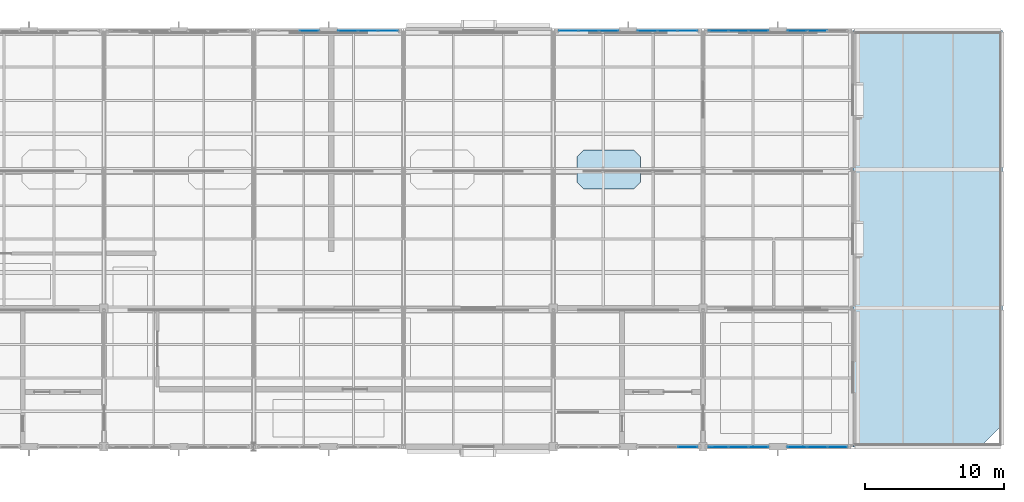
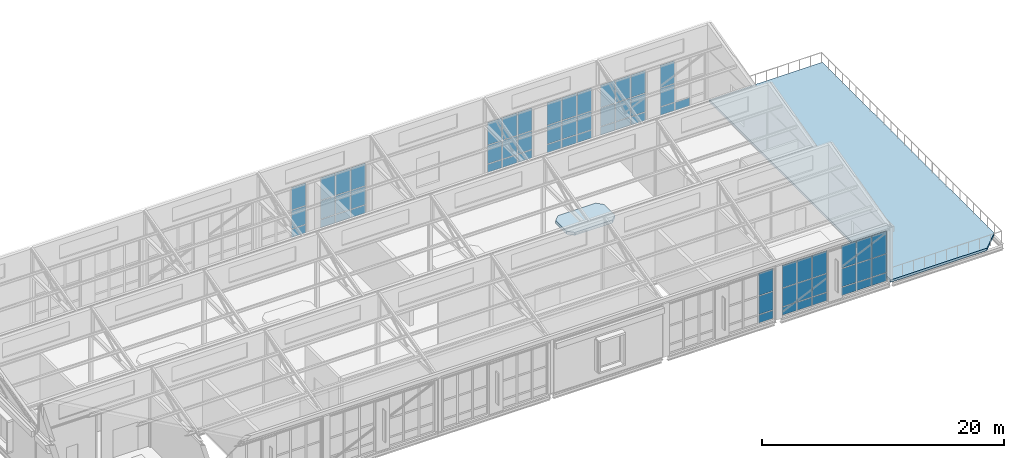
# One storey, part 33 of 49: 64 plates, 2 slabs, 9 elements without a shape of their own.
"""IFC4 building model written with IfcOpenShell, lengths in metres."""

import ifcopenshell
import ifcopenshell.guid

model = None  # the IFC model being written
_history = None  # IfcOwnerHistory: only IFC2X3 demands one
_inside = {}  # id of a spatial element -> (the spatial element, [elements in it])
_under = {}  # id of a project, library or spatial element -> (it, [spatial elements below it])
_declared = {}  # id of a project -> (the project, [libraries it declares])
_typed = {}  # id of a type object -> (the type object, [elements of that type])
_made_of = {}  # id of a material, layer set ... -> (it, [elements and type objects made of it])


def new_model(schema):
    """Start an empty IFC model of exactly this schema.

    Asked for "IFC4X3", IfcOpenShell would pick the latest addendum, in which some entities
    have other attributes; the version numbers below select the first issue.
    IFC2X3 requires an IfcOwnerHistory on every rooted entity: one is made here for all.
    """
    global model, _history
    if schema == "IFC4X3":
        model = ifcopenshell.file(schema_version=(4, 3, 0, 0))
    else:
        model = ifcopenshell.file(schema=schema)
    _inside.clear()
    _under.clear()
    _declared.clear()
    _typed.clear()
    _made_of.clear()
    _history = None
    if model.schema == "IFC2X3":
        org = make("IfcOrganization", Name="unknown")
        user = make(
            "IfcPersonAndOrganization",
            ThePerson=make("IfcPerson", FamilyName="unknown"),
            TheOrganization=org,
        )
        app = make(
            "IfcApplication",
            ApplicationDeveloper=org,
            Version="unknown",
            ApplicationFullName="unknown",
            ApplicationIdentifier="unknown",
        )
        _history = make(
            "IfcOwnerHistory",
            OwningUser=user,
            OwningApplication=app,
            ChangeAction="ADDED",
            CreationDate=0,
        )
    return model


def make(cls, **values):
    """One entity of the class cls with the attributes given. An attribute that is None is left unset."""
    return model.create_entity(
        cls, **{name: value for name, value in values.items() if value is not None}
    )


def rooted(cls, **values):
    """An entity with a GlobalId (a new one), such as an element, a storey or a relation."""
    return make(cls, GlobalId=ifcopenshell.guid.new(), OwnerHistory=_history, **values)


def si_unit(unit_type, name, prefix=None):
    """IfcSIUnit, for example si_unit("LENGTHUNIT", "METRE", prefix="MILLI")."""
    return make("IfcSIUnit", UnitType=unit_type, Prefix=prefix, Name=name)


def assignment(units):
    """IfcUnitAssignment: the units of a project."""
    return None if units is None else make("IfcUnitAssignment", Units=units)


def point(xyz):
    """IfcCartesianPoint."""
    return None if xyz is None else make("IfcCartesianPoint", Coordinates=xyz)


def direction(xyz):
    """IfcDirection."""
    return None if xyz is None else make("IfcDirection", DirectionRatios=xyz)


def frame(location, z_axis=None, x_axis=None):
    """IfcAxis2Placement3D, a coordinate frame: its origin and axes. An axis left out is left unset."""
    return make(
        "IfcAxis2Placement3D",
        Location=point(location),
        Axis=direction(z_axis),
        RefDirection=direction(x_axis),
    )


def frame_2d(location, x_axis=None):
    """IfcAxis2Placement2D, a coordinate frame in the plane: its origin and x axis."""
    return make(
        "IfcAxis2Placement2D", Location=point(location), RefDirection=direction(x_axis)
    )


def origin():
    """The frame at (0, 0, 0) with its axes left unset."""
    return frame((0.0, 0.0, 0.0))


def origin_2d():
    """The frame at (0, 0) in the plane with its x axis left unset."""
    return frame_2d((0.0, 0.0))


def place(relative_to, where):
    """IfcLocalPlacement: puts the frame where relative to a parent placement (None: the world)."""
    return make(
        "IfcLocalPlacement", PlacementRelTo=relative_to, RelativePlacement=where
    )


def context(
    kind, dimensions, precision=None, world=None, true_north=None, identifier=None
):
    """IfcGeometricRepresentationContext, for example the 3D "Model" context."""
    return make(
        "IfcGeometricRepresentationContext",
        ContextIdentifier=identifier,
        ContextType=kind,
        CoordinateSpaceDimension=dimensions,
        Precision=precision,
        WorldCoordinateSystem=world,
        TrueNorth=true_north,
    )


def subcontext(parent, identifier, kind, view, scale=None):
    """IfcGeometricRepresentationSubContext, for example "Body" below "Model"."""
    return make(
        "IfcGeometricRepresentationSubContext",
        ContextIdentifier=identifier,
        ContextType=kind,
        ParentContext=parent,
        TargetScale=scale,
        TargetView=view,
    )


def project(units=None, contexts=None):
    """IfcProject with its units and contexts."""
    return rooted(
        "IfcProject",
        Name="project",
        RepresentationContexts=contexts,
        UnitsInContext=assignment(units),
    )


def spatial(cls, under=None, at=None, **own):
    """A site, building, storey or space (cls), placed at a placement, below another one or the project."""
    s = rooted(cls, ObjectPlacement=at, **own)
    if under is not None:
        _under.setdefault(under.id(), (under, []))[1].append(s)
    return s


def polyline(points):
    """IfcPolyline through the points."""
    return make("IfcPolyline", Points=[point(p) for p in points])


def profile(cls, at=None, kind="AREA", **sizes):
    """A parametric profile (cls). Its sizes go by their IFC names, for example OverallWidth=200.0."""
    return make(cls, ProfileType=kind, Position=at, **sizes)


def rectangle(**sizes):
    """IfcRectangleProfileDef."""
    return profile("IfcRectangleProfileDef", **sizes)


def outline(outer, holes=None, kind="AREA"):
    """IfcArbitraryClosedProfileDef: a profile drawn as a closed curve; with holes, ...WithVoids."""
    if holes is None:
        return make("IfcArbitraryClosedProfileDef", ProfileType=kind, OuterCurve=outer)
    return make(
        "IfcArbitraryProfileDefWithVoids",
        ProfileType=kind,
        OuterCurve=outer,
        InnerCurves=holes,
    )


def extrude(swept, where, along, depth):
    """IfcExtrudedAreaSolid: the profile swept, set in the frame where, extruded along a direction by depth."""
    return make(
        "IfcExtrudedAreaSolid",
        SweptArea=swept,
        Position=where,
        ExtrudedDirection=direction(along),
        Depth=depth,
    )


def shape(context_of_items, identifier, shape_type, items):
    """IfcShapeRepresentation: the items that make up one representation, for example the "Body"."""
    return make(
        "IfcShapeRepresentation",
        ContextOfItems=context_of_items,
        RepresentationIdentifier=identifier,
        RepresentationType=shape_type,
        Items=items,
    )


def material(Name=None, Category=None):
    """IfcMaterial."""
    return make("IfcMaterial", Name=Name, Category=Category)


def layer(
    of_material, thickness, ventilated=None, Name=None, Category=None, Priority=None
):
    """IfcMaterialLayer: one layer of a wall or slab, of a material (None: an air gap)."""
    return make(
        "IfcMaterialLayer",
        Material=of_material,
        LayerThickness=thickness,
        IsVentilated=ventilated,
        Name=Name,
        Category=Category,
        Priority=Priority,
    )


def layer_set(layers, Name=None):
    """IfcMaterialLayerSet."""
    return make("IfcMaterialLayerSet", MaterialLayers=layers, LayerSetName=Name)


def made_of(thing, what):
    """Note that an element or type object is made of a material, layer set ...; save() writes the relation."""
    if what is not None:
        _made_of.setdefault(what.id(), (what, []))[1].append(thing)
    return thing


def type_object(cls, material=None, **own):
    """A type object (cls), such as IfcWallType, which elements share."""
    return made_of(rooted(cls, **own), material)


def element(
    cls,
    number,
    at=None,
    inside=None,
    cuts=None,
    type_object=None,
    material=None,
    context=None,
    identifier="Body",
    shape_type=None,
    held_by="IfcProductDefinitionShape",
    body=None,
    shapes=None,
    **own,
):
    """One element of the class cls, such as IfcWall. Its Tag is "e" and its number.

    at: its placement. inside: the storey or other place that contains it. cuts: it is an
    opening in that element (IfcRelVoidsElement). A single representation is given by context,
    identifier, shape_type and body (its items); several are given by shapes. held_by: the class
    of the entity that holds the representations. save() writes the other relations.
    """
    e = rooted(cls, Tag="e%d" % number, ObjectPlacement=at, **own)
    if body is not None:
        shapes = [shape(context, identifier, shape_type, body)]
    if shapes is not None:
        e.Representation = make(held_by, Representations=shapes)
    if inside is not None:
        _inside.setdefault(inside.id(), (inside, []))[1].append(e)
    if cuts is not None:
        rooted(
            "IfcRelVoidsElement", RelatingBuildingElement=cuts, RelatedOpeningElement=e
        )
    if type_object is not None:
        _typed.setdefault(type_object.id(), (type_object, []))[1].append(e)
    return made_of(e, material)


def aggregate(whole, parts):
    """IfcRelAggregates: a whole, such as a stair, and the parts it consists of."""
    return rooted("IfcRelAggregates", RelatingObject=whole, RelatedObjects=parts)


def save(model, path):
    """Write the relations noted so far, then the file.

    IfcRelAggregates (storeys below a building ...), IfcRelContainedInSpatialStructure (elements
    in a storey), IfcRelDefinesByType, IfcRelAssociatesMaterial and IfcRelDeclares: one each for
    every whole, place, type object, material and project.
    """
    for whole, parts in _under.values():
        aggregate(whole, parts)
    for where, things in _inside.values():
        rooted(
            "IfcRelContainedInSpatialStructure",
            RelatedElements=things,
            RelatingStructure=where,
        )
    for kind, things in _typed.values():
        rooted("IfcRelDefinesByType", RelatedObjects=things, RelatingType=kind)
    for what, things in _made_of.values():
        rooted("IfcRelAssociatesMaterial", RelatedObjects=things, RelatingMaterial=what)
    for by, libraries in _declared.values():
        rooted("IfcRelDeclares", RelatingContext=by, RelatedDefinitions=libraries)
    model.write(path)


model = new_model("IFC4")

# Units and contexts
model_context = context("Model", 3, precision=1e-05, world=origin(), true_north=direction((0.0, 1.0)))
body_context = subcontext(model_context, "Body", "Model", "MODEL_VIEW")
ifc_project = project(units=[si_unit("LENGTHUNIT", "METRE"), si_unit("AREAUNIT", "SQUARE_METRE"), si_unit("VOLUMEUNIT", "CUBIC_METRE"), si_unit("PLANEANGLEUNIT", "RADIAN"), si_unit("MASSUNIT", "GRAM", prefix="KILO")], contexts=[model_context])

# Site, building, storey
site_placement = place(None, origin())
site = spatial("IfcSite", under=ifc_project, at=site_placement, CompositionType="ELEMENT")
building_placement = place(site_placement, origin())
building = spatial("IfcBuilding", under=site, at=building_placement, Name="Tasgan Crest Museum", CompositionType="ELEMENT")
storey_placement = place(building_placement, frame((0.0, 0.0, 28.800048828125)))
storey = spatial("IfcBuildingStorey", under=building, at=storey_placement, Name="L05", CompositionType="ELEMENT", Elevation=28.800048828125)

# Curtain wall, plates
ifc_material_1 = material(Name="Triple-Glazed Aluminium Curtain Wall", Category="aluminium")
ifc_layer_1 = layer(ifc_material_1, 0.179931640625, Name="CW-GAL-X-54")
ifc_layer_set_1 = layer_set([ifc_layer_1], Name="Triple-Glazed Aluminium Curtain Wall")
curtain_wall_type_1 = type_object("IfcCurtainWallType", Name="CW-GAL-X-54", PredefinedType="NOTDEFINED", material=ifc_layer_set_1)
curtain_wall_1_placement = place(storey_placement, origin())
curtain_wall_1 = element("IfcCurtainWall", 1, at=curtain_wall_1_placement, inside=storey, type_object=curtain_wall_type_1, Name="Curtain wall L05 201", PredefinedType="NOTDEFINED")
ifc_material_2 = material(Name="Insulated Spandrel Glass", Category="glass")
ifc_layer_2 = layer(ifc_material_2, 0.052001953125, Name="CW-PANEL-SPANDREL")
ifc_layer_set_2 = layer_set([ifc_layer_2], Name="Insulated Spandrel Glass")
plate_type_1 = type_object("IfcPlateType", Name="CW-PANEL-SPANDREL", PredefinedType="CURTAIN_PANEL", material=ifc_layer_set_2)
plate_1_placement = place(storey_placement, frame((73.0400390625, 112.0, 0.059814453125), z_axis=(0.0, 0.0, 1.0), x_axis=(-1.0, 0.0, 0.0)))
plate_1 = element("IfcPlate", 2, at=plate_1_placement, type_object=plate_type_1, Name="CW15 panel 2.1", PredefinedType="CURTAIN_PANEL", context=body_context, shape_type="SweptSolid", body=[
    extrude(rectangle(XDim=1.4033203125, YDim=0.028076171875, at=origin_2d()), origin(), (0.0, 0.0, 1.0), 0.81005859375),
])
plate_2_placement = place(storey_placement, frame((71.591552734375, 112.0, 0.059814453125), z_axis=(0.0, 0.0, 1.0), x_axis=(-1.0, 0.0, 0.0)))
plate_2 = element("IfcPlate", 3, at=plate_2_placement, type_object=plate_type_1, Name="CW15 panel 3.1", PredefinedType="CURTAIN_PANEL", context=body_context, shape_type="SweptSolid", body=[
    extrude(rectangle(XDim=1.373291015625, YDim=0.028076171875, at=origin_2d()), origin(), (0.0, 0.0, 1.0), 0.81005859375),
])

curtain_wall_2_placement = place(storey_placement, origin())
curtain_wall_2 = element("IfcCurtainWall", 4, at=curtain_wall_2_placement, inside=storey, type_object=curtain_wall_type_1, Name="Curtain wall L05 202", PredefinedType="NOTDEFINED")
plate_3_placement = place(storey_placement, frame((68.808349609375, 112.0, 0.059814453125), z_axis=(0.0, 0.0, 1.0), x_axis=(-1.0, 0.0, 0.0)))
plate_3 = element("IfcPlate", 5, at=plate_3_placement, type_object=plate_type_1, Name="CW15 panel 1.1", PredefinedType="CURTAIN_PANEL", context=body_context, shape_type="SweptSolid", body=[
    extrude(rectangle(XDim=1.373291015625, YDim=0.028076171875, at=origin_2d()), origin(), (0.0, 0.0, 1.0), 0.81005859375),
])
plate_4_placement = place(storey_placement, frame((67.360107421875, 112.0, 0.059814453125), z_axis=(0.0, 0.0, 1.0), x_axis=(-1.0, 0.0, 0.0)))
plate_4 = element("IfcPlate", 6, at=plate_4_placement, type_object=plate_type_1, Name="CW15 panel 2.1", PredefinedType="CURTAIN_PANEL", context=body_context, shape_type="SweptSolid", body=[
    extrude(rectangle(XDim=1.4033203125, YDim=0.028076171875, at=origin_2d()), origin(), (0.0, 0.0, 1.0), 0.81005859375),
])
plate_5_placement = place(storey_placement, frame((65.91162109375, 112.0, 0.059814453125), z_axis=(0.0, 0.0, 1.0), x_axis=(-1.0, 0.0, 0.0)))
plate_5 = element("IfcPlate", 7, at=plate_5_placement, type_object=plate_type_1, Name="CW15 panel 3.1", PredefinedType="CURTAIN_PANEL", context=body_context, shape_type="SweptSolid", body=[
    extrude(rectangle(XDim=1.373291015625, YDim=0.028076171875, at=origin_2d()), origin(), (0.0, 0.0, 1.0), 0.81005859375),
])

ifc_material_3 = material(Name="Triple-Glazed Aluminium Curtain Wall", Category="aluminium")
ifc_layer_3 = layer(ifc_material_3, 0.179931640625, Name="CW-CORE-STRIP-54")
ifc_layer_set_3 = layer_set([ifc_layer_3], Name="Triple-Glazed Aluminium Curtain Wall")
curtain_wall_type_2 = type_object("IfcCurtainWallType", Name="CW-CORE-STRIP-54", PredefinedType="NOTDEFINED", material=ifc_layer_set_3)
curtain_wall_3_placement = place(storey_placement, origin())
curtain_wall_3 = element("IfcCurtainWall", 8, at=curtain_wall_3_placement, inside=storey, type_object=curtain_wall_type_2, Name="Curtain wall L05 203", PredefinedType="NOTDEFINED")
plate_6_placement = place(storey_placement, frame((63.688232421875, 112.0, 0.059814453125), z_axis=(0.0, 0.0, 1.0), x_axis=(-1.0, 0.0, 0.0)))
plate_6 = element("IfcPlate", 9, at=plate_6_placement, type_object=plate_type_1, Name="CW21 panel 1.1", PredefinedType="CURTAIN_PANEL", context=body_context, shape_type="SweptSolid", body=[
    extrude(rectangle(XDim=1.373291015625, YDim=0.028076171875, at=origin_2d()), origin(), (0.0, 0.0, 1.0), 0.81005859375),
])
plate_7_placement = place(storey_placement, frame((62.239990234375, 112.0, 0.059814453125), z_axis=(0.0, 0.0, 1.0), x_axis=(-1.0, 0.0, 0.0)))
plate_7 = element("IfcPlate", 10, at=plate_7_placement, type_object=plate_type_1, Name="CW21 panel 2.1", PredefinedType="CURTAIN_PANEL", context=body_context, shape_type="SweptSolid", body=[
    extrude(rectangle(XDim=1.4033203125, YDim=0.028076171875, at=origin_2d()), origin(), (0.0, 0.0, 1.0), 0.81005859375),
])
plate_8_placement = place(storey_placement, frame((60.791748046875, 112.0, 0.059814453125), z_axis=(0.0, 0.0, 1.0), x_axis=(-1.0, 0.0, 0.0)))
plate_8 = element("IfcPlate", 11, at=plate_8_placement, type_object=plate_type_1, Name="CW21 panel 3.1", PredefinedType="CURTAIN_PANEL", context=body_context, shape_type="SweptSolid", body=[
    extrude(rectangle(XDim=1.373291015625, YDim=0.028076171875, at=origin_2d()), origin(), (0.0, 0.0, 1.0), 0.81005859375),
])

curtain_wall_4_placement = place(storey_placement, origin())
curtain_wall_4 = element("IfcCurtainWall", 12, at=curtain_wall_4_placement, inside=storey, type_object=curtain_wall_type_2, Name="Curtain wall L05 204", PredefinedType="NOTDEFINED")
plate_9_placement = place(storey_placement, frame((58.00830078125, 112.0, 0.059814453125), z_axis=(0.0, 0.0, 1.0), x_axis=(-1.0, 0.0, 0.0)))
plate_9 = element("IfcPlate", 13, at=plate_9_placement, type_object=plate_type_1, Name="CW21 panel 1.1", PredefinedType="CURTAIN_PANEL", context=body_context, shape_type="SweptSolid", body=[
    extrude(rectangle(XDim=1.373291015625, YDim=0.028076171875, at=origin_2d()), origin(), (0.0, 0.0, 1.0), 0.81005859375),
])
plate_10_placement = place(storey_placement, frame((56.56005859375, 112.0, 0.059814453125), z_axis=(0.0, 0.0, 1.0), x_axis=(-1.0, 0.0, 0.0)))
plate_10 = element("IfcPlate", 14, at=plate_10_placement, type_object=plate_type_1, Name="CW21 panel 2.1", PredefinedType="CURTAIN_PANEL", context=body_context, shape_type="SweptSolid", body=[
    extrude(rectangle(XDim=1.4033203125, YDim=0.028076171875, at=origin_2d()), origin(), (0.0, 0.0, 1.0), 0.81005859375),
])
plate_11_placement = place(storey_placement, frame((55.111572265625, 112.0, 0.059814453125), z_axis=(0.0, 0.0, 1.0), x_axis=(-1.0, 0.0, 0.0)))
plate_11 = element("IfcPlate", 15, at=plate_11_placement, type_object=plate_type_1, Name="CW21 panel 3.1", PredefinedType="CURTAIN_PANEL", context=body_context, shape_type="SweptSolid", body=[
    extrude(rectangle(XDim=1.373291015625, YDim=0.028076171875, at=origin_2d()), origin(), (0.0, 0.0, 1.0), 0.81005859375),
])

curtain_wall_5_placement = place(storey_placement, origin())
curtain_wall_5 = element("IfcCurtainWall", 16, at=curtain_wall_5_placement, inside=storey, type_object=curtain_wall_type_1, Name="Curtain wall L05 205", PredefinedType="NOTDEFINED")
plate_12_placement = place(storey_placement, frame((42.08837890625, 112.0, 0.059814453125), z_axis=(0.0, 0.0, 1.0), x_axis=(-1.0, 0.0, 0.0)))
plate_12 = element("IfcPlate", 17, at=plate_12_placement, type_object=plate_type_1, Name="CW15 panel 1.1", PredefinedType="CURTAIN_PANEL", context=body_context, shape_type="SweptSolid", body=[
    extrude(rectangle(XDim=1.373291015625, YDim=0.028076171875, at=origin_2d()), origin(), (0.0, 0.0, 1.0), 0.81005859375),
])
plate_13_placement = place(storey_placement, frame((40.639892578125, 112.0, 0.059814453125), z_axis=(0.0, 0.0, 1.0), x_axis=(-1.0, 0.0, 0.0)))
plate_13 = element("IfcPlate", 18, at=plate_13_placement, type_object=plate_type_1, Name="CW15 panel 2.1", PredefinedType="CURTAIN_PANEL", context=body_context, shape_type="SweptSolid", body=[
    extrude(rectangle(XDim=1.4033203125, YDim=0.028076171875, at=origin_2d()), origin(), (0.0, 0.0, 1.0), 0.81005859375),
])
plate_14_placement = place(storey_placement, frame((39.191650390625, 112.0, 0.059814453125), z_axis=(0.0, 0.0, 1.0), x_axis=(-1.0, 0.0, 0.0)))
plate_14 = element("IfcPlate", 19, at=plate_14_placement, type_object=plate_type_1, Name="CW15 panel 3.1", PredefinedType="CURTAIN_PANEL", context=body_context, shape_type="SweptSolid", body=[
    extrude(rectangle(XDim=1.373291015625, YDim=0.028076171875, at=origin_2d()), origin(), (0.0, 0.0, 1.0), 0.81005859375),
])

# Curtain wall, plate
curtain_wall_6_placement = place(storey_placement, origin())
curtain_wall_6 = element("IfcCurtainWall", 20, at=curtain_wall_6_placement, inside=storey, type_object=curtain_wall_type_1, Name="Curtain wall L05 206", PredefinedType="NOTDEFINED")
plate_15_placement = place(storey_placement, frame((36.408447265625, 112.0, 0.059814453125), z_axis=(0.0, 0.0, 1.0), x_axis=(-1.0, 0.0, 0.0)))
plate_15 = element("IfcPlate", 21, at=plate_15_placement, type_object=plate_type_1, Name="CW15 panel 1.1", PredefinedType="CURTAIN_PANEL", context=body_context, shape_type="SweptSolid", body=[
    extrude(rectangle(XDim=1.373291015625, YDim=0.028076171875, at=origin_2d()), origin(), (0.0, 0.0, 1.0), 0.81005859375),
])

ifc_material_4 = material(Name="Triple-Glazed Aluminium Curtain Wall", Category="aluminium")
ifc_layer_4 = layer(ifc_material_4, 0.179931640625, Name="CW-DRUM-X-48")
ifc_layer_set_4 = layer_set([ifc_layer_4], Name="Triple-Glazed Aluminium Curtain Wall")
curtain_wall_type_3 = type_object("IfcCurtainWallType", Name="CW-DRUM-X-48", PredefinedType="NOTDEFINED", material=ifc_layer_set_4)
curtain_wall_7_placement = place(storey_placement, origin())
curtain_wall_7 = element("IfcCurtainWall", 22, at=curtain_wall_7_placement, inside=storey, type_object=curtain_wall_type_3, Name="Curtain wall L05 218", PredefinedType="NOTDEFINED")
plate_16_placement = place(storey_placement, frame((63.688232421875, 82.0, 0.059814453125), z_axis=(0.0, 0.0, 1.0), x_axis=(1.0, 0.0, 0.0)))
plate_16 = element("IfcPlate", 23, at=plate_16_placement, type_object=plate_type_1, Name="CW03 panel 3.1", PredefinedType="CURTAIN_PANEL", context=body_context, shape_type="SweptSolid", body=[
    extrude(rectangle(XDim=1.373291015625, YDim=0.028076171875, at=origin_2d()), origin(), (0.0, 0.0, 1.0), 0.81005859375),
])

# Curtain wall, plates
curtain_wall_8_placement = place(storey_placement, origin())
curtain_wall_8 = element("IfcCurtainWall", 24, at=curtain_wall_8_placement, inside=storey, type_object=curtain_wall_type_3, Name="Curtain wall L05 219", PredefinedType="NOTDEFINED")
plate_17_placement = place(storey_placement, frame((65.91162109375, 82.0, 0.059814453125), z_axis=(0.0, 0.0, 1.0), x_axis=(1.0, 0.0, 0.0)))
plate_17 = element("IfcPlate", 25, at=plate_17_placement, type_object=plate_type_1, Name="CW03 panel 1.1", PredefinedType="CURTAIN_PANEL", context=body_context, shape_type="SweptSolid", body=[
    extrude(rectangle(XDim=1.373291015625, YDim=0.028076171875, at=origin_2d()), origin(), (0.0, 0.0, 1.0), 0.81005859375),
])
plate_18_placement = place(storey_placement, frame((67.360107421875, 82.0, 0.059814453125), z_axis=(0.0, 0.0, 1.0), x_axis=(1.0, 0.0, 0.0)))
plate_18 = element("IfcPlate", 26, at=plate_18_placement, type_object=plate_type_1, Name="CW03 panel 2.1", PredefinedType="CURTAIN_PANEL", context=body_context, shape_type="SweptSolid", body=[
    extrude(rectangle(XDim=1.4033203125, YDim=0.028076171875, at=origin_2d()), origin(), (0.0, 0.0, 1.0), 0.81005859375),
])
plate_19_placement = place(storey_placement, frame((68.808349609375, 82.0, 0.059814453125), z_axis=(0.0, 0.0, 1.0), x_axis=(1.0, 0.0, 0.0)))
plate_19 = element("IfcPlate", 27, at=plate_19_placement, type_object=plate_type_1, Name="CW03 panel 3.1", PredefinedType="CURTAIN_PANEL", context=body_context, shape_type="SweptSolid", body=[
    extrude(rectangle(XDim=1.373291015625, YDim=0.028076171875, at=origin_2d()), origin(), (0.0, 0.0, 1.0), 0.81005859375),
])

curtain_wall_9_placement = place(storey_placement, origin())
curtain_wall_9 = element("IfcCurtainWall", 28, at=curtain_wall_9_placement, inside=storey, type_object=curtain_wall_type_3, Name="Curtain wall L05 220", PredefinedType="NOTDEFINED")
plate_20_placement = place(storey_placement, frame((71.591552734375, 82.0, 0.059814453125), z_axis=(0.0, 0.0, 1.0), x_axis=(1.0, 0.0, 0.0)))
plate_20 = element("IfcPlate", 29, at=plate_20_placement, type_object=plate_type_1, Name="CW03 panel 1.1", PredefinedType="CURTAIN_PANEL", context=body_context, shape_type="SweptSolid", body=[
    extrude(rectangle(XDim=1.373291015625, YDim=0.028076171875, at=origin_2d()), origin(), (0.0, 0.0, 1.0), 0.81005859375),
])
plate_21_placement = place(storey_placement, frame((73.0400390625, 82.0, 0.059814453125), z_axis=(0.0, 0.0, 1.0), x_axis=(1.0, 0.0, 0.0)))
plate_21 = element("IfcPlate", 30, at=plate_21_placement, type_object=plate_type_1, Name="CW03 panel 2.1", PredefinedType="CURTAIN_PANEL", context=body_context, shape_type="SweptSolid", body=[
    extrude(rectangle(XDim=1.4033203125, YDim=0.028076171875, at=origin_2d()), origin(), (0.0, 0.0, 1.0), 0.81005859375),
])
plate_22_placement = place(storey_placement, frame((74.48828125, 82.0, 0.059814453125), z_axis=(0.0, 0.0, 1.0), x_axis=(1.0, 0.0, 0.0)))
plate_22 = element("IfcPlate", 31, at=plate_22_placement, type_object=plate_type_1, Name="CW03 panel 3.1", PredefinedType="CURTAIN_PANEL", context=body_context, shape_type="SweptSolid", body=[
    extrude(rectangle(XDim=1.373291015625, YDim=0.028076171875, at=origin_2d()), origin(), (0.0, 0.0, 1.0), 0.81005859375),
])

# Plate
ifc_material_5 = material(Name="Low-E Triple Glazing", Category="glass")
ifc_layer_5 = layer(ifc_material_5, 0.0439453125, Name="CW-PANEL-TRIPLE")
ifc_layer_set_5 = layer_set([ifc_layer_5], Name="Low-E Triple Glazing")
plate_type_2 = type_object("IfcPlateType", Name="CW-PANEL-TRIPLE", PredefinedType="CURTAIN_PANEL", material=ifc_layer_set_5)
plate_23_placement = place(storey_placement, frame((71.591552734375, 112.0, 0.9296875), z_axis=(0.0, 0.0, 1.0), x_axis=(-1.0, 0.0, 0.0)))
plate_23 = element("IfcPlate", 32, at=plate_23_placement, type_object=plate_type_2, Name="CW15 panel 3.2", PredefinedType="CURTAIN_PANEL", context=body_context, shape_type="SweptSolid", body=[
    extrude(rectangle(XDim=1.373291015625, YDim=0.028076171875, at=origin_2d()), origin(), (0.0, 0.0, 1.0), 1.840087890625),
])

plate_24_placement = place(storey_placement, frame((71.591552734375, 112.0, 2.829833984375), z_axis=(0.0, 0.0, 1.0), x_axis=(-1.0, 0.0, 0.0)))
plate_24 = element("IfcPlate", 33, at=plate_24_placement, type_object=plate_type_2, Name="CW15 panel 3.3", PredefinedType="CURTAIN_PANEL", context=body_context, shape_type="SweptSolid", body=[
    extrude(rectangle(XDim=1.373291015625, YDim=0.028076171875, at=origin_2d()), origin(), (0.0, 0.0, 1.0), 2.27001953125),
])

aggregate(curtain_wall_1, [plate_1, plate_2, plate_23, plate_24])

plate_25_placement = place(storey_placement, frame((68.808349609375, 112.0, 0.9296875), z_axis=(0.0, 0.0, 1.0), x_axis=(-1.0, 0.0, 0.0)))
plate_25 = element("IfcPlate", 34, at=plate_25_placement, type_object=plate_type_2, Name="CW15 panel 1.2", PredefinedType="CURTAIN_PANEL", context=body_context, shape_type="SweptSolid", body=[
    extrude(rectangle(XDim=1.373291015625, YDim=0.028076171875, at=origin_2d()), origin(), (0.0, 0.0, 1.0), 1.840087890625),
])

plate_26_placement = place(storey_placement, frame((68.808349609375, 112.0, 2.829833984375), z_axis=(0.0, 0.0, 1.0), x_axis=(-1.0, 0.0, 0.0)))
plate_26 = element("IfcPlate", 35, at=plate_26_placement, type_object=plate_type_2, Name="CW15 panel 1.3", PredefinedType="CURTAIN_PANEL", context=body_context, shape_type="SweptSolid", body=[
    extrude(rectangle(XDim=1.373291015625, YDim=0.028076171875, at=origin_2d()), origin(), (0.0, 0.0, 1.0), 2.27001953125),
])

plate_27_placement = place(storey_placement, frame((67.360107421875, 112.0, 0.9296875), z_axis=(0.0, 0.0, 1.0), x_axis=(-1.0, 0.0, 0.0)))
plate_27 = element("IfcPlate", 36, at=plate_27_placement, type_object=plate_type_2, Name="CW15 panel 2.2", PredefinedType="CURTAIN_PANEL", context=body_context, shape_type="SweptSolid", body=[
    extrude(rectangle(XDim=1.4033203125, YDim=0.028076171875, at=origin_2d()), origin(), (0.0, 0.0, 1.0), 1.840087890625),
])

plate_28_placement = place(storey_placement, frame((67.360107421875, 112.0, 2.829833984375), z_axis=(0.0, 0.0, 1.0), x_axis=(-1.0, 0.0, 0.0)))
plate_28 = element("IfcPlate", 37, at=plate_28_placement, type_object=plate_type_2, Name="CW15 panel 2.3", PredefinedType="CURTAIN_PANEL", context=body_context, shape_type="SweptSolid", body=[
    extrude(rectangle(XDim=1.4033203125, YDim=0.028076171875, at=origin_2d()), origin(), (0.0, 0.0, 1.0), 2.27001953125),
])

plate_29_placement = place(storey_placement, frame((65.91162109375, 112.0, 0.9296875), z_axis=(0.0, 0.0, 1.0), x_axis=(-1.0, 0.0, 0.0)))
plate_29 = element("IfcPlate", 38, at=plate_29_placement, type_object=plate_type_2, Name="CW15 panel 3.2", PredefinedType="CURTAIN_PANEL", context=body_context, shape_type="SweptSolid", body=[
    extrude(rectangle(XDim=1.373291015625, YDim=0.028076171875, at=origin_2d()), origin(), (0.0, 0.0, 1.0), 1.840087890625),
])

plate_30_placement = place(storey_placement, frame((65.91162109375, 112.0, 2.829833984375), z_axis=(0.0, 0.0, 1.0), x_axis=(-1.0, 0.0, 0.0)))
plate_30 = element("IfcPlate", 39, at=plate_30_placement, type_object=plate_type_2, Name="CW15 panel 3.3", PredefinedType="CURTAIN_PANEL", context=body_context, shape_type="SweptSolid", body=[
    extrude(rectangle(XDim=1.373291015625, YDim=0.028076171875, at=origin_2d()), origin(), (0.0, 0.0, 1.0), 2.27001953125),
])

aggregate(curtain_wall_2, [plate_3, plate_25, plate_26, plate_4, plate_27, plate_28, plate_5, plate_29, plate_30])

plate_31_placement = place(storey_placement, frame((63.688232421875, 112.0, 0.9296875), z_axis=(0.0, 0.0, 1.0), x_axis=(-1.0, 0.0, 0.0)))
plate_31 = element("IfcPlate", 40, at=plate_31_placement, type_object=plate_type_2, Name="CW21 panel 1.2", PredefinedType="CURTAIN_PANEL", context=body_context, shape_type="SweptSolid", body=[
    extrude(rectangle(XDim=1.373291015625, YDim=0.028076171875, at=origin_2d()), origin(), (0.0, 0.0, 1.0), 1.840087890625),
])

plate_32_placement = place(storey_placement, frame((63.688232421875, 112.0, 2.829833984375), z_axis=(0.0, 0.0, 1.0), x_axis=(-1.0, 0.0, 0.0)))
plate_32 = element("IfcPlate", 41, at=plate_32_placement, type_object=plate_type_2, Name="CW21 panel 1.3", PredefinedType="CURTAIN_PANEL", context=body_context, shape_type="SweptSolid", body=[
    extrude(rectangle(XDim=1.373291015625, YDim=0.028076171875, at=origin_2d()), origin(), (0.0, 0.0, 1.0), 2.27001953125),
])

plate_33_placement = place(storey_placement, frame((62.239990234375, 112.0, 0.9296875), z_axis=(0.0, 0.0, 1.0), x_axis=(-1.0, 0.0, 0.0)))
plate_33 = element("IfcPlate", 42, at=plate_33_placement, type_object=plate_type_2, Name="CW21 panel 2.2", PredefinedType="CURTAIN_PANEL", context=body_context, shape_type="SweptSolid", body=[
    extrude(rectangle(XDim=1.4033203125, YDim=0.028076171875, at=origin_2d()), origin(), (0.0, 0.0, 1.0), 1.840087890625),
])

plate_34_placement = place(storey_placement, frame((62.239990234375, 112.0, 2.829833984375), z_axis=(0.0, 0.0, 1.0), x_axis=(-1.0, 0.0, 0.0)))
plate_34 = element("IfcPlate", 43, at=plate_34_placement, type_object=plate_type_2, Name="CW21 panel 2.3", PredefinedType="CURTAIN_PANEL", context=body_context, shape_type="SweptSolid", body=[
    extrude(rectangle(XDim=1.4033203125, YDim=0.028076171875, at=origin_2d()), origin(), (0.0, 0.0, 1.0), 2.27001953125),
])

plate_35_placement = place(storey_placement, frame((60.791748046875, 112.0, 0.9296875), z_axis=(0.0, 0.0, 1.0), x_axis=(-1.0, 0.0, 0.0)))
plate_35 = element("IfcPlate", 44, at=plate_35_placement, type_object=plate_type_2, Name="CW21 panel 3.2", PredefinedType="CURTAIN_PANEL", context=body_context, shape_type="SweptSolid", body=[
    extrude(rectangle(XDim=1.373291015625, YDim=0.028076171875, at=origin_2d()), origin(), (0.0, 0.0, 1.0), 1.840087890625),
])

plate_36_placement = place(storey_placement, frame((60.791748046875, 112.0, 2.829833984375), z_axis=(0.0, 0.0, 1.0), x_axis=(-1.0, 0.0, 0.0)))
plate_36 = element("IfcPlate", 45, at=plate_36_placement, type_object=plate_type_2, Name="CW21 panel 3.3", PredefinedType="CURTAIN_PANEL", context=body_context, shape_type="SweptSolid", body=[
    extrude(rectangle(XDim=1.373291015625, YDim=0.028076171875, at=origin_2d()), origin(), (0.0, 0.0, 1.0), 2.27001953125),
])

aggregate(curtain_wall_3, [plate_6, plate_31, plate_32, plate_7, plate_33, plate_34, plate_8, plate_35, plate_36])

plate_37_placement = place(storey_placement, frame((58.00830078125, 112.0, 0.9296875), z_axis=(0.0, 0.0, 1.0), x_axis=(-1.0, 0.0, 0.0)))
plate_37 = element("IfcPlate", 46, at=plate_37_placement, type_object=plate_type_2, Name="CW21 panel 1.2", PredefinedType="CURTAIN_PANEL", context=body_context, shape_type="SweptSolid", body=[
    extrude(rectangle(XDim=1.373291015625, YDim=0.028076171875, at=origin_2d()), origin(), (0.0, 0.0, 1.0), 1.840087890625),
])

plate_38_placement = place(storey_placement, frame((58.00830078125, 112.0, 2.829833984375), z_axis=(0.0, 0.0, 1.0), x_axis=(-1.0, 0.0, 0.0)))
plate_38 = element("IfcPlate", 47, at=plate_38_placement, type_object=plate_type_2, Name="CW21 panel 1.3", PredefinedType="CURTAIN_PANEL", context=body_context, shape_type="SweptSolid", body=[
    extrude(rectangle(XDim=1.373291015625, YDim=0.028076171875, at=origin_2d()), origin(), (0.0, 0.0, 1.0), 2.27001953125),
])

plate_39_placement = place(storey_placement, frame((56.56005859375, 112.0, 0.9296875), z_axis=(0.0, 0.0, 1.0), x_axis=(-1.0, 0.0, 0.0)))
plate_39 = element("IfcPlate", 48, at=plate_39_placement, type_object=plate_type_2, Name="CW21 panel 2.2", PredefinedType="CURTAIN_PANEL", context=body_context, shape_type="SweptSolid", body=[
    extrude(rectangle(XDim=1.4033203125, YDim=0.028076171875, at=origin_2d()), origin(), (0.0, 0.0, 1.0), 1.840087890625),
])

plate_40_placement = place(storey_placement, frame((56.56005859375, 112.0, 2.829833984375), z_axis=(0.0, 0.0, 1.0), x_axis=(-1.0, 0.0, 0.0)))
plate_40 = element("IfcPlate", 49, at=plate_40_placement, type_object=plate_type_2, Name="CW21 panel 2.3", PredefinedType="CURTAIN_PANEL", context=body_context, shape_type="SweptSolid", body=[
    extrude(rectangle(XDim=1.4033203125, YDim=0.028076171875, at=origin_2d()), origin(), (0.0, 0.0, 1.0), 2.27001953125),
])

plate_41_placement = place(storey_placement, frame((55.111572265625, 112.0, 0.9296875), z_axis=(0.0, 0.0, 1.0), x_axis=(-1.0, 0.0, 0.0)))
plate_41 = element("IfcPlate", 50, at=plate_41_placement, type_object=plate_type_2, Name="CW21 panel 3.2", PredefinedType="CURTAIN_PANEL", context=body_context, shape_type="SweptSolid", body=[
    extrude(rectangle(XDim=1.373291015625, YDim=0.028076171875, at=origin_2d()), origin(), (0.0, 0.0, 1.0), 1.840087890625),
])

plate_42_placement = place(storey_placement, frame((55.111572265625, 112.0, 2.829833984375), z_axis=(0.0, 0.0, 1.0), x_axis=(-1.0, 0.0, 0.0)))
plate_42 = element("IfcPlate", 51, at=plate_42_placement, type_object=plate_type_2, Name="CW21 panel 3.3", PredefinedType="CURTAIN_PANEL", context=body_context, shape_type="SweptSolid", body=[
    extrude(rectangle(XDim=1.373291015625, YDim=0.028076171875, at=origin_2d()), origin(), (0.0, 0.0, 1.0), 2.27001953125),
])

aggregate(curtain_wall_4, [plate_9, plate_37, plate_38, plate_10, plate_39, plate_40, plate_11, plate_41, plate_42])

plate_43_placement = place(storey_placement, frame((42.08837890625, 112.0, 0.9296875), z_axis=(0.0, 0.0, 1.0), x_axis=(-1.0, 0.0, 0.0)))
plate_43 = element("IfcPlate", 52, at=plate_43_placement, type_object=plate_type_2, Name="CW15 panel 1.2", PredefinedType="CURTAIN_PANEL", context=body_context, shape_type="SweptSolid", body=[
    extrude(rectangle(XDim=1.373291015625, YDim=0.028076171875, at=origin_2d()), origin(), (0.0, 0.0, 1.0), 1.840087890625),
])

plate_44_placement = place(storey_placement, frame((42.08837890625, 112.0, 2.829833984375), z_axis=(0.0, 0.0, 1.0), x_axis=(-1.0, 0.0, 0.0)))
plate_44 = element("IfcPlate", 53, at=plate_44_placement, type_object=plate_type_2, Name="CW15 panel 1.3", PredefinedType="CURTAIN_PANEL", context=body_context, shape_type="SweptSolid", body=[
    extrude(rectangle(XDim=1.373291015625, YDim=0.028076171875, at=origin_2d()), origin(), (0.0, 0.0, 1.0), 2.27001953125),
])

plate_45_placement = place(storey_placement, frame((40.639892578125, 112.0, 0.9296875), z_axis=(0.0, 0.0, 1.0), x_axis=(-1.0, 0.0, 0.0)))
plate_45 = element("IfcPlate", 54, at=plate_45_placement, type_object=plate_type_2, Name="CW15 panel 2.2", PredefinedType="CURTAIN_PANEL", context=body_context, shape_type="SweptSolid", body=[
    extrude(rectangle(XDim=1.4033203125, YDim=0.028076171875, at=origin_2d()), origin(), (0.0, 0.0, 1.0), 1.840087890625),
])

plate_46_placement = place(storey_placement, frame((40.639892578125, 112.0, 2.829833984375), z_axis=(0.0, 0.0, 1.0), x_axis=(-1.0, 0.0, 0.0)))
plate_46 = element("IfcPlate", 55, at=plate_46_placement, type_object=plate_type_2, Name="CW15 panel 2.3", PredefinedType="CURTAIN_PANEL", context=body_context, shape_type="SweptSolid", body=[
    extrude(rectangle(XDim=1.4033203125, YDim=0.028076171875, at=origin_2d()), origin(), (0.0, 0.0, 1.0), 2.27001953125),
])

plate_47_placement = place(storey_placement, frame((39.191650390625, 112.0, 0.9296875), z_axis=(0.0, 0.0, 1.0), x_axis=(-1.0, 0.0, 0.0)))
plate_47 = element("IfcPlate", 56, at=plate_47_placement, type_object=plate_type_2, Name="CW15 panel 3.2", PredefinedType="CURTAIN_PANEL", context=body_context, shape_type="SweptSolid", body=[
    extrude(rectangle(XDim=1.373291015625, YDim=0.028076171875, at=origin_2d()), origin(), (0.0, 0.0, 1.0), 1.840087890625),
])

plate_48_placement = place(storey_placement, frame((39.191650390625, 112.0, 2.829833984375), z_axis=(0.0, 0.0, 1.0), x_axis=(-1.0, 0.0, 0.0)))
plate_48 = element("IfcPlate", 57, at=plate_48_placement, type_object=plate_type_2, Name="CW15 panel 3.3", PredefinedType="CURTAIN_PANEL", context=body_context, shape_type="SweptSolid", body=[
    extrude(rectangle(XDim=1.373291015625, YDim=0.028076171875, at=origin_2d()), origin(), (0.0, 0.0, 1.0), 2.27001953125),
])

aggregate(curtain_wall_5, [plate_12, plate_43, plate_44, plate_13, plate_45, plate_46, plate_14, plate_47, plate_48])

plate_49_placement = place(storey_placement, frame((36.408447265625, 112.0, 0.9296875), z_axis=(0.0, 0.0, 1.0), x_axis=(-1.0, 0.0, 0.0)))
plate_49 = element("IfcPlate", 58, at=plate_49_placement, type_object=plate_type_2, Name="CW15 panel 1.2", PredefinedType="CURTAIN_PANEL", context=body_context, shape_type="SweptSolid", body=[
    extrude(rectangle(XDim=1.373291015625, YDim=0.028076171875, at=origin_2d()), origin(), (0.0, 0.0, 1.0), 1.840087890625),
])

plate_50_placement = place(storey_placement, frame((36.408447265625, 112.0, 2.829833984375), z_axis=(0.0, 0.0, 1.0), x_axis=(-1.0, 0.0, 0.0)))
plate_50 = element("IfcPlate", 59, at=plate_50_placement, type_object=plate_type_2, Name="CW15 panel 1.3", PredefinedType="CURTAIN_PANEL", context=body_context, shape_type="SweptSolid", body=[
    extrude(rectangle(XDim=1.373291015625, YDim=0.028076171875, at=origin_2d()), origin(), (0.0, 0.0, 1.0), 2.27001953125),
])

aggregate(curtain_wall_6, [plate_15, plate_49, plate_50])

plate_51_placement = place(storey_placement, frame((63.688232421875, 82.0, 0.9296875), z_axis=(0.0, 0.0, 1.0), x_axis=(1.0, 0.0, 0.0)))
plate_51 = element("IfcPlate", 60, at=plate_51_placement, type_object=plate_type_2, Name="CW03 panel 3.2", PredefinedType="CURTAIN_PANEL", context=body_context, shape_type="SweptSolid", body=[
    extrude(rectangle(XDim=1.373291015625, YDim=0.028076171875, at=origin_2d()), origin(), (0.0, 0.0, 1.0), 1.840087890625),
])

plate_52_placement = place(storey_placement, frame((63.688232421875, 82.0, 2.829833984375), z_axis=(0.0, 0.0, 1.0), x_axis=(1.0, 0.0, 0.0)))
plate_52 = element("IfcPlate", 61, at=plate_52_placement, type_object=plate_type_2, Name="CW03 panel 3.3", PredefinedType="CURTAIN_PANEL", context=body_context, shape_type="SweptSolid", body=[
    extrude(rectangle(XDim=1.373291015625, YDim=0.028076171875, at=origin_2d()), origin(), (0.0, 0.0, 1.0), 2.27001953125),
])

aggregate(curtain_wall_7, [plate_16, plate_51, plate_52])

plate_53_placement = place(storey_placement, frame((65.91162109375, 82.0, 0.9296875), z_axis=(0.0, 0.0, 1.0), x_axis=(1.0, 0.0, 0.0)))
plate_53 = element("IfcPlate", 62, at=plate_53_placement, type_object=plate_type_2, Name="CW03 panel 1.2", PredefinedType="CURTAIN_PANEL", context=body_context, shape_type="SweptSolid", body=[
    extrude(rectangle(XDim=1.373291015625, YDim=0.028076171875, at=origin_2d()), origin(), (0.0, 0.0, 1.0), 1.840087890625),
])

plate_54_placement = place(storey_placement, frame((65.91162109375, 82.0, 2.829833984375), z_axis=(0.0, 0.0, 1.0), x_axis=(1.0, 0.0, 0.0)))
plate_54 = element("IfcPlate", 63, at=plate_54_placement, type_object=plate_type_2, Name="CW03 panel 1.3", PredefinedType="CURTAIN_PANEL", context=body_context, shape_type="SweptSolid", body=[
    extrude(rectangle(XDim=1.373291015625, YDim=0.028076171875, at=origin_2d()), origin(), (0.0, 0.0, 1.0), 2.27001953125),
])

plate_55_placement = place(storey_placement, frame((67.360107421875, 82.0, 0.9296875), z_axis=(0.0, 0.0, 1.0), x_axis=(1.0, 0.0, 0.0)))
plate_55 = element("IfcPlate", 64, at=plate_55_placement, type_object=plate_type_2, Name="CW03 panel 2.2", PredefinedType="CURTAIN_PANEL", context=body_context, shape_type="SweptSolid", body=[
    extrude(rectangle(XDim=1.4033203125, YDim=0.028076171875, at=origin_2d()), origin(), (0.0, 0.0, 1.0), 1.840087890625),
])

plate_56_placement = place(storey_placement, frame((67.360107421875, 82.0, 2.829833984375), z_axis=(0.0, 0.0, 1.0), x_axis=(1.0, 0.0, 0.0)))
plate_56 = element("IfcPlate", 65, at=plate_56_placement, type_object=plate_type_2, Name="CW03 panel 2.3", PredefinedType="CURTAIN_PANEL", context=body_context, shape_type="SweptSolid", body=[
    extrude(rectangle(XDim=1.4033203125, YDim=0.028076171875, at=origin_2d()), origin(), (0.0, 0.0, 1.0), 2.27001953125),
])

plate_57_placement = place(storey_placement, frame((68.808349609375, 82.0, 0.9296875), z_axis=(0.0, 0.0, 1.0), x_axis=(1.0, 0.0, 0.0)))
plate_57 = element("IfcPlate", 66, at=plate_57_placement, type_object=plate_type_2, Name="CW03 panel 3.2", PredefinedType="CURTAIN_PANEL", context=body_context, shape_type="SweptSolid", body=[
    extrude(rectangle(XDim=1.373291015625, YDim=0.028076171875, at=origin_2d()), origin(), (0.0, 0.0, 1.0), 1.840087890625),
])

plate_58_placement = place(storey_placement, frame((68.808349609375, 82.0, 2.829833984375), z_axis=(0.0, 0.0, 1.0), x_axis=(1.0, 0.0, 0.0)))
plate_58 = element("IfcPlate", 67, at=plate_58_placement, type_object=plate_type_2, Name="CW03 panel 3.3", PredefinedType="CURTAIN_PANEL", context=body_context, shape_type="SweptSolid", body=[
    extrude(rectangle(XDim=1.373291015625, YDim=0.028076171875, at=origin_2d()), origin(), (0.0, 0.0, 1.0), 2.27001953125),
])

aggregate(curtain_wall_8, [plate_17, plate_53, plate_54, plate_18, plate_55, plate_56, plate_19, plate_57, plate_58])

plate_59_placement = place(storey_placement, frame((71.591552734375, 82.0, 0.9296875), z_axis=(0.0, 0.0, 1.0), x_axis=(1.0, 0.0, 0.0)))
plate_59 = element("IfcPlate", 68, at=plate_59_placement, type_object=plate_type_2, Name="CW03 panel 1.2", PredefinedType="CURTAIN_PANEL", context=body_context, shape_type="SweptSolid", body=[
    extrude(rectangle(XDim=1.373291015625, YDim=0.028076171875, at=origin_2d()), origin(), (0.0, 0.0, 1.0), 1.840087890625),
])

plate_60_placement = place(storey_placement, frame((71.591552734375, 82.0, 2.829833984375), z_axis=(0.0, 0.0, 1.0), x_axis=(1.0, 0.0, 0.0)))
plate_60 = element("IfcPlate", 69, at=plate_60_placement, type_object=plate_type_2, Name="CW03 panel 1.3", PredefinedType="CURTAIN_PANEL", context=body_context, shape_type="SweptSolid", body=[
    extrude(rectangle(XDim=1.373291015625, YDim=0.028076171875, at=origin_2d()), origin(), (0.0, 0.0, 1.0), 2.27001953125),
])

plate_61_placement = place(storey_placement, frame((73.0400390625, 82.0, 0.9296875), z_axis=(0.0, 0.0, 1.0), x_axis=(1.0, 0.0, 0.0)))
plate_61 = element("IfcPlate", 70, at=plate_61_placement, type_object=plate_type_2, Name="CW03 panel 2.2", PredefinedType="CURTAIN_PANEL", context=body_context, shape_type="SweptSolid", body=[
    extrude(rectangle(XDim=1.4033203125, YDim=0.028076171875, at=origin_2d()), origin(), (0.0, 0.0, 1.0), 1.840087890625),
])

plate_62_placement = place(storey_placement, frame((73.0400390625, 82.0, 2.829833984375), z_axis=(0.0, 0.0, 1.0), x_axis=(1.0, 0.0, 0.0)))
plate_62 = element("IfcPlate", 71, at=plate_62_placement, type_object=plate_type_2, Name="CW03 panel 2.3", PredefinedType="CURTAIN_PANEL", context=body_context, shape_type="SweptSolid", body=[
    extrude(rectangle(XDim=1.4033203125, YDim=0.028076171875, at=origin_2d()), origin(), (0.0, 0.0, 1.0), 2.27001953125),
])

plate_63_placement = place(storey_placement, frame((74.48828125, 82.0, 0.9296875), z_axis=(0.0, 0.0, 1.0), x_axis=(1.0, 0.0, 0.0)))
plate_63 = element("IfcPlate", 72, at=plate_63_placement, type_object=plate_type_2, Name="CW03 panel 3.2", PredefinedType="CURTAIN_PANEL", context=body_context, shape_type="SweptSolid", body=[
    extrude(rectangle(XDim=1.373291015625, YDim=0.028076171875, at=origin_2d()), origin(), (0.0, 0.0, 1.0), 1.840087890625),
])

plate_64_placement = place(storey_placement, frame((74.48828125, 82.0, 2.829833984375), z_axis=(0.0, 0.0, 1.0), x_axis=(1.0, 0.0, 0.0)))
plate_64 = element("IfcPlate", 73, at=plate_64_placement, type_object=plate_type_2, Name="CW03 panel 3.3", PredefinedType="CURTAIN_PANEL", context=body_context, shape_type="SweptSolid", body=[
    extrude(rectangle(XDim=1.373291015625, YDim=0.028076171875, at=origin_2d()), origin(), (0.0, 0.0, 1.0), 2.27001953125),
])

aggregate(curtain_wall_9, [plate_20, plate_59, plate_60, plate_21, plate_61, plate_62, plate_22, plate_63, plate_64])

# Slabs
ifc_material_6 = material(Name="Concrete C35/45", Category="concrete")
ifc_layer_6 = layer(ifc_material_6, 0.31005859375, Name="SL-DAIS-T10")
ifc_layer_set_6 = layer_set([ifc_layer_6], Name="Concrete C35/45")
slab_type_1 = type_object("IfcSlabType", Name="SL-DAIS-T10", PredefinedType="FLOOR", material=ifc_layer_set_6)
slab_1_placement = place(storey_placement, origin())
element("IfcSlab", 74, at=slab_1_placement, inside=storey, type_object=slab_type_1, Name="Exhibition specimen dais L05-40", PredefinedType="FLOOR", context=body_context, shape_type="SweptSolid", body=[
    extrude(outline(polyline([(56.199951171875, 100.60009765625), (59.800048828125, 100.60009765625), (60.300048828125, 101.10009765625), (60.300048828125, 102.89990234375), (59.800048828125, 103.39990234375), (56.199951171875, 103.39990234375), (55.699951171875, 102.89990234375), (55.699951171875, 101.10009765625), (56.199951171875, 100.60009765625)])), origin(), (0.0, 0.0, 1.0), 0.31005859375),
])
ifc_material_7 = material(Name="Concrete C35/45", Category="concrete")
ifc_layer_7 = layer(ifc_material_7, 0.25, Name="SL-TER-250")
ifc_layer_set_7 = layer_set([ifc_layer_7], Name="Concrete C35/45")
slab_type_2 = type_object("IfcSlabType", Name="SL-TER-250", PredefinedType="FLOOR", material=ifc_layer_set_7)
slab_2_placement = place(storey_placement, frame((0.0, 0.0, -0.25)))
element("IfcSlab", 75, at=slab_2_placement, inside=storey, type_object=slab_type_2, Name="Planted sculpture terrace L05 TR-CREST", PredefinedType="FLOOR", context=body_context, shape_type="SweptSolid", body=[
    extrude(outline(polyline([(75.60009765625, 82.0), (84.800048828125, 82.0), (86.39990234375, 83.60009765625), (86.39990234375, 112.0), (75.60009765625, 112.0), (75.60009765625, 82.0)])), origin(), (0.0, 0.0, 1.0), 0.25),
])

save(model, "model.ifc")
